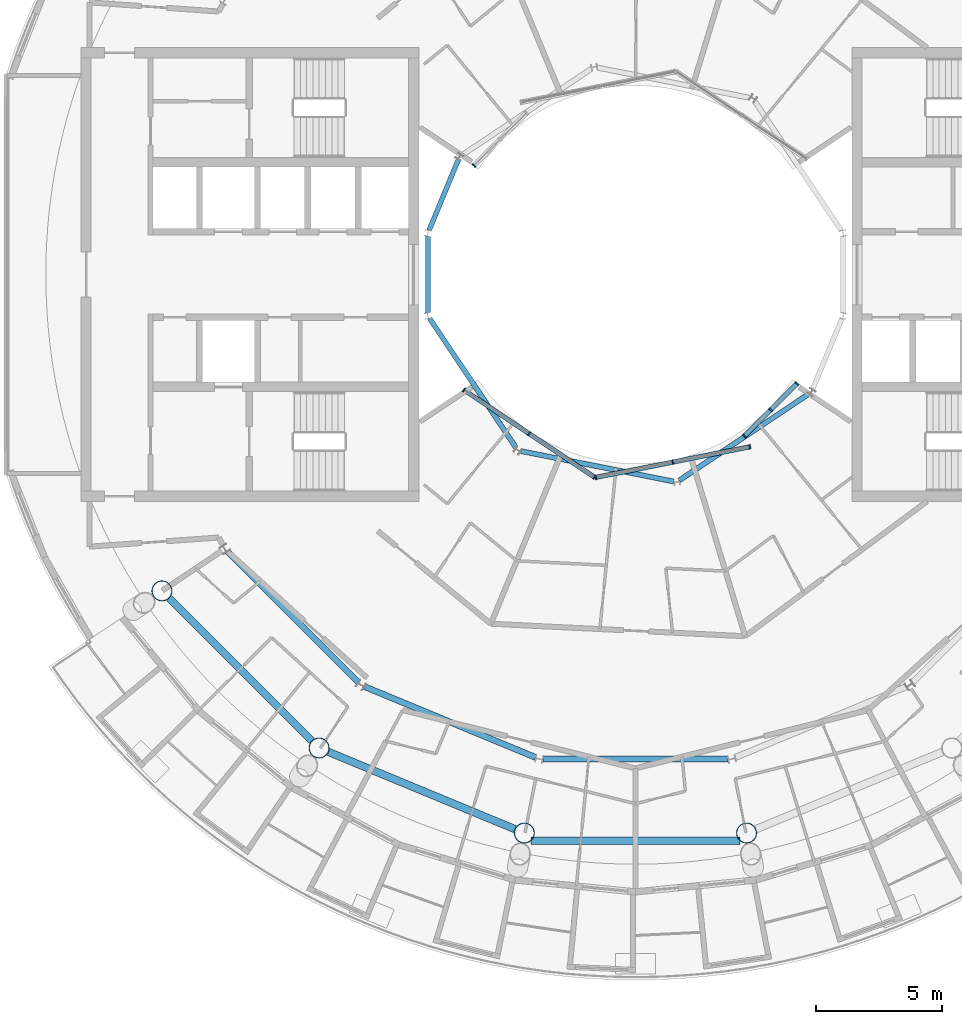
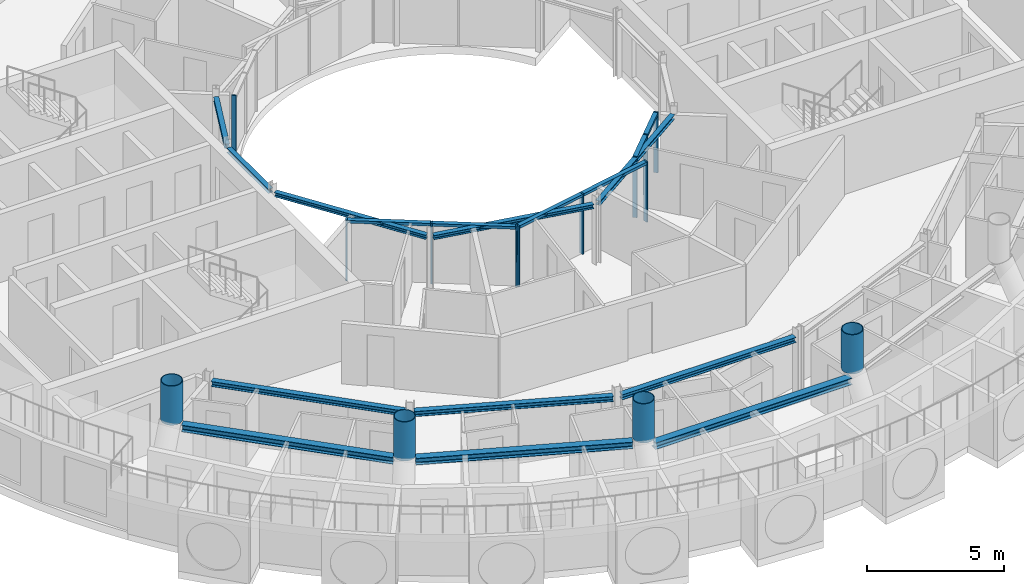
# One storey, part 6 of 25: 20 members, 11 beams, 4 elements without a shape of their own.
"""IFC4 building model written with IfcOpenShell, lengths in metres."""

from ifc_helpers import new_model, si_unit, direction, frame, origin, origin_2d, place, context, subcontext, project, spatial, rectangle, hollow_circle, i_section, extrude, material, layer, layer_set, material_profile, profile_set, type_object, element, aggregate, save


model = new_model("IFC4")

# Units and contexts
model_context = context("Model", 3, precision=1e-05, world=origin(), true_north=direction((0.0, 1.0)))
body_context = subcontext(model_context, "Body", "Model", "MODEL_VIEW")
ifc_project = project(units=[si_unit("LENGTHUNIT", "METRE"), si_unit("AREAUNIT", "SQUARE_METRE"), si_unit("VOLUMEUNIT", "CUBIC_METRE"), si_unit("PLANEANGLEUNIT", "RADIAN"), si_unit("MASSUNIT", "GRAM", prefix="KILO")], contexts=[model_context])

# Site, building, storey
site_placement = place(None, origin())
site = spatial("IfcSite", under=ifc_project, at=site_placement, CompositionType="ELEMENT")
building_placement = place(site_placement, origin())
building = spatial("IfcBuilding", under=site, at=building_placement, Name="Maasbend Ring Residences", CompositionType="ELEMENT")
storey_placement = place(building_placement, frame((0.0, 0.0, 246.25)))
storey = spatial("IfcBuildingStorey", under=building, at=storey_placement, Name="L71", CompositionType="ELEMENT", Elevation=246.25)

# Curtain wall, member
ifc_material_1 = material(Name="Aluminium and clear glass", Category="aluminium")
ifc_layer = layer(ifc_material_1, 0.179931640625)
ifc_layer_set = layer_set([ifc_layer], Name="CW-W")
curtain_wall_type = type_object("IfcCurtainWallType", Name="CW-W", PredefinedType="NOTDEFINED", material=ifc_layer_set)
curtain_wall_1_placement = place(storey_placement, origin())
curtain_wall_1 = element("IfcCurtainWall", 1, at=curtain_wall_1_placement, inside=storey, type_object=curtain_wall_type, Name="Well curtain wall N3", PredefinedType="NOTDEFINED")
ifc_material_2 = material(Name="Aluminium 6063-T6", Category="aluminium")
ifc_material_profile_1 = material_profile(ifc_material_2, rectangle(XDim=0.179931640625, YDim=0.06005859375, at=origin_2d()), Name="AL 180x60")
ifc_profile_set_1 = profile_set([ifc_material_profile_1], Name="Aluminium 6063-T6")
member_type_1 = type_object("IfcMemberType", Name="CWM-W", PredefinedType="MULLION", material=ifc_profile_set_1)
member_1_placement = place(storey_placement, frame((-6.413330078125, 4.320556640625, 0.0), z_axis=(0.0, 0.0, 1.0), x_axis=(0.707106781187, -0.707106781187, 0.0)))
member_1 = element("IfcMember", 2, at=member_1_placement, type_object=member_type_1, Name="Mullion well face", PredefinedType="MULLION", context=body_context, shape_type="SweptSolid", body=[
    extrude(rectangle(XDim=0.179931640625, YDim=0.06005859375, at=origin_2d()), origin(), (0.0, 0.0, 1.0), 2.699951171875),
])
aggregate(curtain_wall_1, [member_1])

# Curtain wall, members
curtain_wall_2_placement = place(storey_placement, origin())
curtain_wall_2 = element("IfcCurtainWall", 3, at=curtain_wall_2_placement, inside=storey, type_object=curtain_wall_type, Name="Well curtain wall S1", PredefinedType="NOTDEFINED")
member_2_placement = place(storey_placement, frame((-6.805908203125, -4.580810546875, 0.0), z_axis=(0.0, 0.0, 1.0), x_axis=(0.55557023302, 0.831469612303, 0.0)))
member_2 = element("IfcMember", 4, at=member_2_placement, type_object=member_type_1, Name="Mullion well face", PredefinedType="MULLION", context=body_context, shape_type="SweptSolid", body=[
    extrude(rectangle(XDim=0.179931640625, YDim=0.06005859375, at=origin_2d()), origin(), (0.0, 0.0, 1.0), 2.699951171875),
])
member_3_placement = place(storey_placement, frame((-4.216796875, -6.310791015625, 0.0), z_axis=(0.0, 0.0, 1.0), x_axis=(0.55557023302, 0.831469612303, 0.0)))
member_3 = element("IfcMember", 5, at=member_3_placement, type_object=member_type_1, Name="Mullion well face", PredefinedType="MULLION", context=body_context, shape_type="SweptSolid", body=[
    extrude(rectangle(XDim=0.179931640625, YDim=0.06005859375, at=origin_2d()), origin(), (0.0, 0.0, 1.0), 2.699951171875),
])
member_4_placement = place(storey_placement, frame((-1.627685546875, -8.040771484375, 0.0), z_axis=(0.0, 0.0, 1.0), x_axis=(0.55557023302, 0.831469612303, 0.0)))
member_4 = element("IfcMember", 6, at=member_4_placement, type_object=member_type_1, Name="Mullion well face", PredefinedType="MULLION", context=body_context, shape_type="SweptSolid", body=[
    extrude(rectangle(XDim=0.179931640625, YDim=0.06005859375, at=origin_2d()), origin(), (0.0, 0.0, 1.0), 2.699951171875),
])

curtain_wall_3_placement = place(storey_placement, origin())
curtain_wall_3 = element("IfcCurtainWall", 7, at=curtain_wall_3_placement, inside=storey, type_object=curtain_wall_type, Name="Well curtain wall S2", PredefinedType="NOTDEFINED")
member_5_placement = place(storey_placement, frame((-1.5732421875, -8.0517578125, 0.0), z_axis=(0.0, 0.0, 1.0), x_axis=(-0.195090322016, 0.980785280403, 0.0)))
member_5 = element("IfcMember", 8, at=member_5_placement, type_object=member_type_1, Name="Mullion well face", PredefinedType="MULLION", context=body_context, shape_type="SweptSolid", body=[
    extrude(rectangle(XDim=0.179931640625, YDim=0.06005859375, at=origin_2d()), origin(), (0.0, 0.0, 1.0), 2.699951171875),
])
member_6_placement = place(storey_placement, frame((1.480712890625, -7.444091796875, 0.0), z_axis=(0.0, 0.0, 1.0), x_axis=(-0.195090322016, 0.980785280403, 0.0)))
member_6 = element("IfcMember", 9, at=member_6_placement, type_object=member_type_1, Name="Mullion well face", PredefinedType="MULLION", context=body_context, shape_type="SweptSolid", body=[
    extrude(rectangle(XDim=0.179931640625, YDim=0.06005859375, at=origin_2d()), origin(), (0.0, 0.0, 1.0), 2.699951171875),
])
member_7_placement = place(storey_placement, frame((4.53466796875, -6.836669921875, 0.0), z_axis=(0.0, 0.0, 1.0), x_axis=(-0.195090322016, 0.980785280403, 0.0)))
member_7 = element("IfcMember", 10, at=member_7_placement, type_object=member_type_1, Name="Mullion well face", PredefinedType="MULLION", context=body_context, shape_type="SweptSolid", body=[
    extrude(rectangle(XDim=0.179931640625, YDim=0.06005859375, at=origin_2d()), origin(), (0.0, 0.0, 1.0), 2.699951171875),
])

curtain_wall_4_placement = place(storey_placement, origin())
curtain_wall_4 = element("IfcCurtainWall", 11, at=curtain_wall_4_placement, inside=storey, type_object=curtain_wall_type, Name="Well curtain wall S3", PredefinedType="NOTDEFINED")
member_8_placement = place(storey_placement, frame((4.320556640625, -6.413330078125, 0.0), z_axis=(0.0, 0.0, 1.0), x_axis=(-0.707106781187, 0.707106781187, 0.0)))
member_8 = element("IfcMember", 12, at=member_8_placement, type_object=member_type_1, Name="Mullion well face", PredefinedType="MULLION", context=body_context, shape_type="SweptSolid", body=[
    extrude(rectangle(XDim=0.179931640625, YDim=0.06005859375, at=origin_2d()), origin(), (0.0, 0.0, 1.0), 2.699951171875),
])
member_9_placement = place(storey_placement, frame((5.366943359375, -5.366943359375, 0.0), z_axis=(0.0, 0.0, 1.0), x_axis=(-0.707106781187, 0.707106781187, 0.0)))
member_9 = element("IfcMember", 13, at=member_9_placement, type_object=member_type_1, Name="Mullion well face", PredefinedType="MULLION", context=body_context, shape_type="SweptSolid", body=[
    extrude(rectangle(XDim=0.179931640625, YDim=0.06005859375, at=origin_2d()), origin(), (0.0, 0.0, 1.0), 2.699951171875),
])
member_10_placement = place(storey_placement, frame((6.413330078125, -4.320556640625, 0.0), z_axis=(0.0, 0.0, 1.0), x_axis=(-0.707106781187, 0.707106781187, 0.0)))
member_10 = element("IfcMember", 14, at=member_10_placement, type_object=member_type_1, Name="Mullion well face", PredefinedType="MULLION", context=body_context, shape_type="SweptSolid", body=[
    extrude(rectangle(XDim=0.179931640625, YDim=0.06005859375, at=origin_2d()), origin(), (0.0, 0.0, 1.0), 2.699951171875),
])

# Member
ifc_material_3 = material(Name="Aluminium 6063-T6", Category="aluminium")
ifc_material_profile_2 = material_profile(ifc_material_3, rectangle(XDim=0.179931640625, YDim=0.1201171875, at=origin_2d()), Name="AL 180x120")
ifc_profile_set_2 = profile_set([ifc_material_profile_2], Name="Aluminium 6063-T6")
member_type_2 = type_object("IfcMemberType", Name="CWT-W", PredefinedType="USERDEFINED", material=ifc_profile_set_2)
member_11_placement = place(storey_placement, frame((-6.781005859375, -4.59765625, 2.639892578125), z_axis=(0.831496422459, -0.555530106689, 0.0), x_axis=(0.555530106689, 0.831496422459, 0.0)))
member_11 = element("IfcMember", 15, at=member_11_placement, type_object=member_type_2, Name="Transom well face", ObjectType="TRANSOM", PredefinedType="USERDEFINED", context=body_context, shape_type="SweptSolid", body=[
    extrude(rectangle(XDim=0.179931640625, YDim=0.1201171875, at=origin_2d()), origin(), (0.0, 0.0, 1.0), 3.053955078125),
])

member_12_placement = place(storey_placement, frame((-4.19189453125, -6.32763671875, 2.639892578125), z_axis=(0.831496422459, -0.555530106689, 0.0), x_axis=(0.555530106689, 0.831496422459, 0.0)))
member_12 = element("IfcMember", 16, at=member_12_placement, type_object=member_type_2, Name="Transom well face", ObjectType="TRANSOM", PredefinedType="USERDEFINED", context=body_context, shape_type="SweptSolid", body=[
    extrude(rectangle(XDim=0.179931640625, YDim=0.1201171875, at=origin_2d()), origin(), (0.0, 0.0, 1.0), 3.053955078125),
])

aggregate(curtain_wall_2, [member_2, member_3, member_4, member_11, member_12])

member_13_placement = place(storey_placement, frame((-1.5439453125, -8.0458984375, 2.639892578125), z_axis=(0.980776956105, 0.195132166424, 0.0), x_axis=(-0.195132166424, 0.980776956105, 0.0)))
member_13 = element("IfcMember", 17, at=member_13_placement, type_object=member_type_2, Name="Transom well face", ObjectType="TRANSOM", PredefinedType="USERDEFINED", context=body_context, shape_type="SweptSolid", body=[
    extrude(rectangle(XDim=0.179931640625, YDim=0.1201171875, at=origin_2d()), origin(), (0.0, 0.0, 1.0), 3.053955078125),
])

member_14_placement = place(storey_placement, frame((1.51025390625, -7.438232421875, 2.639892578125), z_axis=(0.980789210404, 0.19507056353, 0.0), x_axis=(-0.19507056353, 0.980789210404, 0.0)))
member_14 = element("IfcMember", 18, at=member_14_placement, type_object=member_type_2, Name="Transom well face", ObjectType="TRANSOM", PredefinedType="USERDEFINED", context=body_context, shape_type="SweptSolid", body=[
    extrude(rectangle(XDim=0.179931640625, YDim=0.1201171875, at=origin_2d()), origin(), (0.0, 0.0, 1.0), 3.0537109375),
])

aggregate(curtain_wall_3, [member_5, member_6, member_7, member_13, member_14])

member_15_placement = place(storey_placement, frame((4.341796875, -6.39208984375, 2.639892578125), z_axis=(0.707106781187, 0.707106781187, 0.0), x_axis=(-0.707106781187, 0.707106781187, 0.0)))
member_15 = element("IfcMember", 19, at=member_15_placement, type_object=member_type_2, Name="Transom well face", ObjectType="TRANSOM", PredefinedType="USERDEFINED", context=body_context, shape_type="SweptSolid", body=[
    extrude(rectangle(XDim=0.179931640625, YDim=0.1201171875, at=origin_2d()), origin(), (0.0, 0.0, 1.0), 1.419677734375),
])

member_16_placement = place(storey_placement, frame((5.38818359375, -5.345703125, 2.639892578125), z_axis=(0.707106781187, 0.707106781187, 0.0), x_axis=(-0.707106781187, 0.707106781187, 0.0)))
member_16 = element("IfcMember", 20, at=member_16_placement, type_object=member_type_2, Name="Transom well face", ObjectType="TRANSOM", PredefinedType="USERDEFINED", context=body_context, shape_type="SweptSolid", body=[
    extrude(rectangle(XDim=0.179931640625, YDim=0.1201171875, at=origin_2d()), origin(), (0.0, 0.0, 1.0), 1.419677734375),
])

aggregate(curtain_wall_4, [member_8, member_9, member_10, member_15, member_16])

# Members
ifc_material_4 = material(Name="Steel S460NH", Category="steel")
ifc_material_profile_3 = material_profile(ifc_material_4, hollow_circle(Radius=0.406494140625, WallThickness=0.030029296875, at=origin_2d()), Name="Column node insert CHS 813x30")
ifc_profile_set_3 = profile_set([ifc_material_profile_3], Name="Steel S460NH")
member_type_3 = type_object("IfcMemberType", Name="Column node insert CHS 813x30", PredefinedType="POST", material=ifc_profile_set_3)
for number, where, z_axis, x_axis, name in (
    (21, (-18.791259765625, -12.555908203125, 2.80029296875), (0.0, 0.0, 1.0), (1.0, 0.0, 0.0), "Column node insert R10"),
    (22, (-12.555908203125, -18.791259765625, 2.80029296875), (0.0, 0.0, 1.0), (1.0, 0.0, 0.0), "Column node insert R11"),
    (23, (-4.408935546875, -22.165771484375, 2.80029296875), (0.0, 0.0, 1.0), (1.0, 0.0, 0.0), "Column node insert R12"),
    (24, (4.408935546875, -22.165771484375, 2.80029296875), (0.0, 0.0, 1.0), (1.0, 0.0, 0.0), "Column node insert R13"),
):
    element("IfcMember", number, at=place(storey_placement, frame(where, z_axis=z_axis, x_axis=x_axis)), inside=storey, type_object=member_type_3, Name=name, PredefinedType="POST", context=body_context, shape_type="SweptSolid", body=[
        extrude(hollow_circle(Radius=0.406494140625, WallThickness=0.030029296875, at=origin_2d()), origin(), (0.0, 0.0, 1.0), 1.749755859375),
    ])

# Beams
ifc_material_5 = material(Name="Steel S355J2", Category="steel")
ifc_material_profile_4 = material_profile(ifc_material_5, i_section(OverallWidth=0.239990234375, OverallDepth=0.22998046875, WebThickness=0.007568359375, FlangeThickness=0.011962890625, FilletRadius=0.02099609375, at=origin_2d()), Name="HEA 240")
ifc_profile_set_4 = profile_set([ifc_material_profile_4], Name="Steel S355J2")
beam_type_1 = type_object("IfcBeamType", Name="Corridor ring beam HEA 240", PredefinedType="BEAM", material=ifc_profile_set_4)
beam_1_placement = place(storey_placement, frame((-16.188720703125, -10.997314453125, 2.5849609375), z_axis=(0.707106781187, -0.707106781187, 0.0), x_axis=(0.707106781187, 0.707106781187, 0.0)))
element("IfcBeam", 25, at=beam_1_placement, inside=storey, type_object=beam_type_1, Name="Corridor ring beam", PredefinedType="BEAM", context=body_context, shape_type="SweptSolid", body=[
    extrude(i_section(OverallWidth=0.239990234375, OverallDepth=0.22998046875, WebThickness=0.007568359375, FlangeThickness=0.011962890625, FilletRadius=0.02099609375, at=origin_2d()), origin(), (0.0, 0.0, 1.0), 7.341796875),
])
beam_2_placement = place(storey_placement, frame((-10.747802734375, -16.355224609375, 2.5849609375), z_axis=(0.923875784142, -0.382692481603, 0.0), x_axis=(0.382692481603, 0.923875784142, 0.0)))
element("IfcBeam", 26, at=beam_2_placement, inside=storey, type_object=beam_type_1, Name="Corridor ring beam", PredefinedType="BEAM", context=body_context, shape_type="SweptSolid", body=[
    extrude(i_section(OverallWidth=0.239990234375, OverallDepth=0.22998046875, WebThickness=0.007568359375, FlangeThickness=0.011962890625, FilletRadius=0.02099609375, at=origin_2d()), origin(), (0.0, 0.0, 1.0), 7.341552734375),
])
beam_3_placement = place(storey_placement, frame((-3.6708984375, -19.223388671875, 2.5849609375), z_axis=(1.0, 0.0, 0.0), x_axis=(0.0, 1.0, 0.0)))
element("IfcBeam", 27, at=beam_3_placement, inside=storey, type_object=beam_type_1, Name="Corridor ring beam", PredefinedType="BEAM", context=body_context, shape_type="SweptSolid", body=[
    extrude(i_section(OverallWidth=0.239990234375, OverallDepth=0.22998046875, WebThickness=0.007568359375, FlangeThickness=0.011962890625, FilletRadius=0.02099609375, at=origin_2d()), origin(), (0.0, 0.0, 1.0), 7.341796875),
])
ifc_material_6 = material(Name="Steel S355J2", Category="steel")
ifc_material_profile_5 = material_profile(ifc_material_6, i_section(OverallWidth=0.300048828125, OverallDepth=0.300048828125, WebThickness=0.010986328125, FlangeThickness=0.01904296875, FilletRadius=0.027099609375, at=origin_2d()), Name="HEB 300")
ifc_profile_set_5 = profile_set([ifc_material_profile_5], Name="Steel S355J2")
beam_type_2 = type_object("IfcBeamType", Name="Spandrel ring beam HEB 300", PredefinedType="SPANDREL", material=ifc_profile_set_5)
beam_4_placement = place(storey_placement, frame((-18.50390625, -12.84326171875, 2.550048828125), z_axis=(0.707106781187, -0.707106781187, 0.0), x_axis=(0.707106781187, 0.707106781187, 0.0)))
element("IfcBeam", 28, at=beam_4_placement, inside=storey, type_object=beam_type_2, Name="Spandrel ring beam", PredefinedType="SPANDREL", context=body_context, shape_type="SweptSolid", body=[
    extrude(i_section(OverallWidth=0.300048828125, OverallDepth=0.300048828125, WebThickness=0.010986328125, FlangeThickness=0.01904296875, FilletRadius=0.027099609375, at=origin_2d()), origin(), (0.0, 0.0, 1.0), 8.00537109375),
])
beam_5_placement = place(storey_placement, frame((-12.180419921875, -18.94677734375, 2.550048828125), z_axis=(0.923887850638, -0.382663350013, 0.0), x_axis=(0.382663350013, 0.923887850638, 0.0)))
element("IfcBeam", 29, at=beam_5_placement, inside=storey, type_object=beam_type_2, Name="Spandrel ring beam", PredefinedType="SPANDREL", context=body_context, shape_type="SweptSolid", body=[
    extrude(i_section(OverallWidth=0.300048828125, OverallDepth=0.300048828125, WebThickness=0.010986328125, FlangeThickness=0.01904296875, FilletRadius=0.027099609375, at=origin_2d()), origin(), (0.0, 0.0, 1.0), 8.005126953125),
])
beam_6_placement = place(storey_placement, frame((-4.152587890625, -22.4658203125, 2.550048828125), z_axis=(1.0, 0.0, 0.0), x_axis=(0.0, 1.0, 0.0)))
element("IfcBeam", 30, at=beam_6_placement, inside=storey, type_object=beam_type_2, Name="Spandrel ring beam", PredefinedType="SPANDREL", context=body_context, shape_type="SweptSolid", body=[
    extrude(i_section(OverallWidth=0.300048828125, OverallDepth=0.300048828125, WebThickness=0.010986328125, FlangeThickness=0.01904296875, FilletRadius=0.027099609375, at=origin_2d()), origin(), (0.0, 0.0, 1.0), 8.30517578125),
])
ifc_material_7 = material(Name="Steel S355J2", Category="steel")
ifc_material_profile_6 = material_profile(ifc_material_7, i_section(OverallWidth=0.199951171875, OverallDepth=0.18994140625, WebThickness=0.006591796875, FlangeThickness=0.010009765625, FilletRadius=0.01806640625, at=origin_2d()), Name="HEA 200")
ifc_profile_set_6 = profile_set([ifc_material_profile_6], Name="Steel S355J2")
beam_type_3 = type_object("IfcBeamType", Name="Well edge beam HEA 200", PredefinedType="BEAM", material=ifc_profile_set_6)
for number, where, z_axis, x_axis, name in (
    (31, (-7.029296875, 4.55859375, 2.60498046875), (-0.382609241817, -0.923910259753, 0.0), (0.923910259753, -0.382609241817, 0.0), "Well edge beam"),
    (32, (-8.238525390625, 1.521484375, 2.60498046875), (0.0, -1.0, 0.0), (1.0, 0.0, 0.0), "Well edge beam"),
):
    element("IfcBeam", number, at=place(storey_placement, frame(where, z_axis=z_axis, x_axis=x_axis)), inside=storey, type_object=beam_type_3, Name=name, PredefinedType="BEAM", context=body_context, shape_type="SweptSolid", body=[
        extrude(i_section(OverallWidth=0.199951171875, OverallDepth=0.18994140625, WebThickness=0.006591796875, FlangeThickness=0.010009765625, FilletRadius=0.01806640625, at=origin_2d()), origin(), (0.0, 0.0, 1.0), 3.04296875),
    ])
for number, where, z_axis, x_axis, name in (
    (33, (-8.16943359375, -1.7421875, 2.60498046875), (0.555547729421, -0.831484648286, 0.0), (0.831484648286, 0.555547729421, 0.0), "Well edge beam"),
    (34, (-4.544677734375, -7.008544921875, 2.60498046875), (0.98078072474, -0.195113223486, 0.0), (0.195113223486, 0.98078072474, 0.0), "Well edge beam"),
    (35, (1.7421875, -8.16943359375, 2.60498046875), (0.831484648286, 0.555547729421, 0.0), (-0.555547729421, 0.831484648286, 0.0), "Well edge beam"),
):
    element("IfcBeam", number, at=place(storey_placement, frame(where, z_axis=z_axis, x_axis=x_axis)), inside=storey, type_object=beam_type_3, Name=name, PredefinedType="BEAM", context=body_context, shape_type="SweptSolid", body=[
        extrude(i_section(OverallWidth=0.199951171875, OverallDepth=0.18994140625, WebThickness=0.006591796875, FlangeThickness=0.010009765625, FilletRadius=0.01806640625, at=origin_2d()), origin(), (0.0, 0.0, 1.0), 6.18017578125),
    ])

save(model, "model.ifc")
